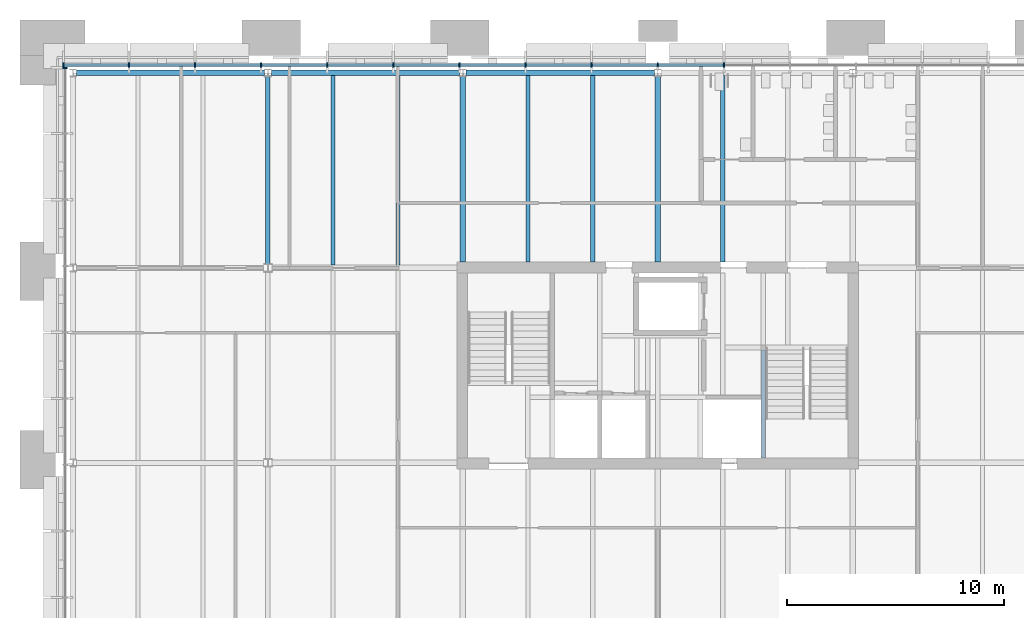
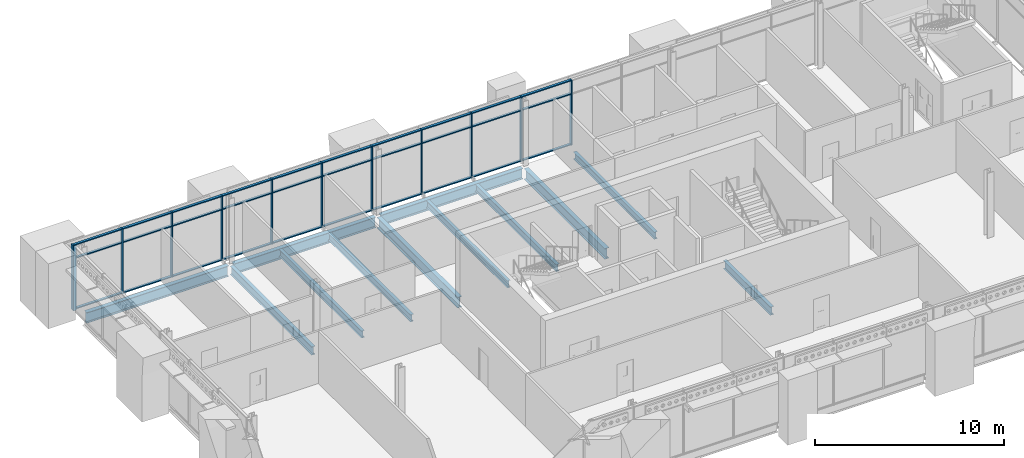
# One storey, part 14 of 37: 42 members, 12 beams, 2 elements without a shape of their own.
"""IFC4 building model written with IfcOpenShell, lengths in metres."""

from ifc_helpers import new_model, si_unit, direction, frame, origin, origin_2d, place, context, subcontext, project, spatial, rectangle, i_section, extrude, material, material_profile, profile_set, type_object, element, aggregate, save


model = new_model("IFC4")

# Units and contexts
model_context = context("Model", 3, precision=1e-05, world=origin(), true_north=direction((0.0, 1.0)))
body_context = subcontext(model_context, "Body", "Model", "MODEL_VIEW")
ifc_project = project(units=[si_unit("LENGTHUNIT", "METRE"), si_unit("AREAUNIT", "SQUARE_METRE"), si_unit("VOLUMEUNIT", "CUBIC_METRE"), si_unit("PLANEANGLEUNIT", "RADIAN"), si_unit("MASSUNIT", "GRAM", prefix="KILO")], contexts=[model_context])

# Site, building, storey
site_placement = place(None, origin())
site = spatial("IfcSite", under=ifc_project, at=site_placement, CompositionType="ELEMENT")
building_placement = place(site_placement, origin())
building = spatial("IfcBuilding", under=site, at=building_placement, Name="Baradari Gate Terminus", CompositionType="ELEMENT")
storey_placement = place(building_placement, frame((0.0, 0.0, 24.300048828125)))
storey = spatial("IfcBuildingStorey", under=building, at=storey_placement, Name="L05", CompositionType="ELEMENT", Elevation=24.300048828125)

# Beam
ifc_material_1 = material(Name="Steel S355", Category="steel")
ifc_material_profile_1 = material_profile(ifc_material_1, i_section(OverallWidth=0.209228515625, OverallDepth=0.533203125, WebThickness=0.010009765625, FlangeThickness=0.015625, FilletRadius=0.0126953125, at=origin_2d()), Name="UB 533x210x92")
ifc_profile_set_1 = profile_set([ifc_material_profile_1], Name="Steel S355")
beam_type_1 = type_object("IfcBeamType", Name="Core floor trimmer beam B22 UB 533x210x92", PredefinedType="BEAM", material=ifc_profile_set_1)
beam_1_placement = place(storey_placement, frame((40.875, 126.22509765625, -0.396484375), z_axis=(0.0, 1.0, 0.0), x_axis=(-1.0, 0.0, 0.0)))
element("IfcBeam", 1, at=beam_1_placement, inside=storey, type_object=beam_type_1, Name="Core floor trimmer beam B22 40.875:126.225-131.22 L05", PredefinedType="BEAM", context=body_context, shape_type="SweptSolid", body=[
    extrude(i_section(OverallWidth=0.209228515625, OverallDepth=0.533203125, WebThickness=0.010009765625, FlangeThickness=0.015625, FilletRadius=0.0126953125, at=origin_2d()), origin(), (0.0, 0.0, 1.0), 4.9951171875),
])

# Curtain wall, members
ifc_material_2 = material(Name="Aluminium 6063-T6", Category="aluminium")
curtain_wall_type = type_object("IfcCurtainWallType", Name="Curtain wall CW-1 block unitised, zone L02-L05", PredefinedType="NOTDEFINED", material=ifc_material_2)
curtain_wall_1_placement = place(storey_placement, origin())
curtain_wall_1 = element("IfcCurtainWall", 2, at=curtain_wall_1_placement, inside=storey, type_object=curtain_wall_type, Name="Curtain wall CW-1 Operations block N face L05", PredefinedType="NOTDEFINED")
ifc_material_3 = material(Name="Aluminium 6063-T6", Category="aluminium")
ifc_material_profile_2 = material_profile(ifc_material_3, rectangle(XDim=0.199951171875, YDim=0.06494140625, at=origin_2d()), Name="CM-1 65X200")
ifc_profile_set_2 = profile_set([ifc_material_profile_2], Name="Aluminium 6063-T6")
member_type_1 = type_object("IfcMemberType", Name="Curtain wall mullion CM-1 65x200", PredefinedType="MULLION", material=ifc_profile_set_2)
member_1_placement = place(storey_placement, frame((8.5625, 144.3701171875, 0.0), z_axis=(0.0, 0.0, 1.0), x_axis=(0.0, 1.0, 0.0)))
member_1 = element("IfcMember", 3, at=member_1_placement, type_object=member_type_1, Name="CW-1 mullion 1", PredefinedType="MULLION", context=body_context, shape_type="SweptSolid", body=[
    extrude(rectangle(XDim=0.199951171875, YDim=0.06494140625, at=origin_2d()), origin(), (0.0, 0.0, 1.0), 4.199951171875),
])
member_2_placement = place(storey_placement, frame((11.582275390625, 144.3701171875, 0.0), z_axis=(0.0, 0.0, 1.0), x_axis=(0.0, 1.0, 0.0)))
member_2 = element("IfcMember", 4, at=member_2_placement, type_object=member_type_1, Name="CW-1 mullion 2", PredefinedType="MULLION", context=body_context, shape_type="SweptSolid", body=[
    extrude(rectangle(XDim=0.199951171875, YDim=0.06494140625, at=origin_2d()), origin(), (0.0, 0.0, 1.0), 4.199951171875),
])
member_3_placement = place(storey_placement, frame((14.634521484375, 144.3701171875, 0.0), z_axis=(0.0, 0.0, 1.0), x_axis=(0.0, 1.0, 0.0)))
member_3 = element("IfcMember", 5, at=member_3_placement, type_object=member_type_1, Name="CW-1 mullion 3", PredefinedType="MULLION", context=body_context, shape_type="SweptSolid", body=[
    extrude(rectangle(XDim=0.199951171875, YDim=0.06494140625, at=origin_2d()), origin(), (0.0, 0.0, 1.0), 4.199951171875),
])
member_4_placement = place(storey_placement, frame((17.686767578125, 144.3701171875, 0.0), z_axis=(0.0, 0.0, 1.0), x_axis=(0.0, 1.0, 0.0)))
member_4 = element("IfcMember", 6, at=member_4_placement, type_object=member_type_1, Name="CW-1 mullion 4", PredefinedType="MULLION", context=body_context, shape_type="SweptSolid", body=[
    extrude(rectangle(XDim=0.199951171875, YDim=0.06494140625, at=origin_2d()), origin(), (0.0, 0.0, 1.0), 4.199951171875),
])
member_5_placement = place(storey_placement, frame((20.73876953125, 144.3701171875, 0.0), z_axis=(0.0, 0.0, 1.0), x_axis=(0.0, 1.0, 0.0)))
member_5 = element("IfcMember", 7, at=member_5_placement, type_object=member_type_1, Name="CW-1 mullion 5", PredefinedType="MULLION", context=body_context, shape_type="SweptSolid", body=[
    extrude(rectangle(XDim=0.199951171875, YDim=0.06494140625, at=origin_2d()), origin(), (0.0, 0.0, 1.0), 4.199951171875),
])
member_6_placement = place(storey_placement, frame((23.791015625, 144.3701171875, 0.0), z_axis=(0.0, 0.0, 1.0), x_axis=(0.0, 1.0, 0.0)))
member_6 = element("IfcMember", 8, at=member_6_placement, type_object=member_type_1, Name="CW-1 mullion 6", PredefinedType="MULLION", context=body_context, shape_type="SweptSolid", body=[
    extrude(rectangle(XDim=0.199951171875, YDim=0.06494140625, at=origin_2d()), origin(), (0.0, 0.0, 1.0), 4.199951171875),
])
member_7_placement = place(storey_placement, frame((26.84326171875, 144.3701171875, 0.0), z_axis=(0.0, 0.0, 1.0), x_axis=(0.0, 1.0, 0.0)))
member_7 = element("IfcMember", 9, at=member_7_placement, type_object=member_type_1, Name="CW-1 mullion 7", PredefinedType="MULLION", context=body_context, shape_type="SweptSolid", body=[
    extrude(rectangle(XDim=0.199951171875, YDim=0.06494140625, at=origin_2d()), origin(), (0.0, 0.0, 1.0), 4.199951171875),
])
member_8_placement = place(storey_placement, frame((29.8955078125, 144.3701171875, 0.0), z_axis=(0.0, 0.0, 1.0), x_axis=(0.0, 1.0, 0.0)))
member_8 = element("IfcMember", 10, at=member_8_placement, type_object=member_type_1, Name="CW-1 mullion 8", PredefinedType="MULLION", context=body_context, shape_type="SweptSolid", body=[
    extrude(rectangle(XDim=0.199951171875, YDim=0.06494140625, at=origin_2d()), origin(), (0.0, 0.0, 1.0), 4.199951171875),
])
member_9_placement = place(storey_placement, frame((32.94775390625, 144.3701171875, 0.0), z_axis=(0.0, 0.0, 1.0), x_axis=(0.0, 1.0, 0.0)))
member_9 = element("IfcMember", 11, at=member_9_placement, type_object=member_type_1, Name="CW-1 mullion 9", PredefinedType="MULLION", context=body_context, shape_type="SweptSolid", body=[
    extrude(rectangle(XDim=0.199951171875, YDim=0.06494140625, at=origin_2d()), origin(), (0.0, 0.0, 1.0), 4.199951171875),
])
member_10_placement = place(storey_placement, frame((36.0, 144.3701171875, 0.0), z_axis=(0.0, 0.0, 1.0), x_axis=(0.0, 1.0, 0.0)))
member_10 = element("IfcMember", 12, at=member_10_placement, type_object=member_type_1, Name="CW-1 mullion 10", PredefinedType="MULLION", context=body_context, shape_type="SweptSolid", body=[
    extrude(rectangle(XDim=0.199951171875, YDim=0.06494140625, at=origin_2d()), origin(), (0.0, 0.0, 1.0), 4.199951171875),
])
member_11_placement = place(storey_placement, frame((39.05224609375, 144.3701171875, 0.0), z_axis=(0.0, 0.0, 1.0), x_axis=(0.0, 1.0, 0.0)))
member_11 = element("IfcMember", 13, at=member_11_placement, type_object=member_type_1, Name="CW-1 mullion 11", PredefinedType="MULLION", context=body_context, shape_type="SweptSolid", body=[
    extrude(rectangle(XDim=0.199951171875, YDim=0.06494140625, at=origin_2d()), origin(), (0.0, 0.0, 1.0), 4.199951171875),
])

# Curtain wall, member
curtain_wall_2_placement = place(storey_placement, origin())
curtain_wall_2 = element("IfcCurtainWall", 14, at=curtain_wall_2_placement, inside=storey, type_object=curtain_wall_type, Name="Curtain wall CW-1 Operations block W face L05", PredefinedType="NOTDEFINED")
member_12_placement = place(storey_placement, frame((8.6298828125, 144.237548828125, 0.0), z_axis=(0.0, 0.0, 1.0), x_axis=(-1.0, 0.0, 0.0)))
member_12 = element("IfcMember", 15, at=member_12_placement, type_object=member_type_1, Name="CW-1 mullion 10", PredefinedType="MULLION", context=body_context, shape_type="SweptSolid", body=[
    extrude(rectangle(XDim=0.199951171875, YDim=0.06494140625, at=origin_2d()), origin(), (0.0, 0.0, 1.0), 4.199951171875),
])
aggregate(curtain_wall_2, [member_12])

# Member
ifc_material_4 = material(Name="Aluminium 6063-T6", Category="aluminium")
ifc_material_profile_3 = material_profile(ifc_material_4, rectangle(XDim=0.14990234375, YDim=0.06494140625, at=origin_2d()), Name="CT-1 65X150")
ifc_profile_set_3 = profile_set([ifc_material_profile_3], Name="Aluminium 6063-T6")
member_type_2 = type_object("IfcMemberType", Name="Curtain wall transom CT-1 65x150", PredefinedType="USERDEFINED", material=ifc_profile_set_3)
member_13_placement = place(storey_placement, frame((8.594970703125, 144.3701171875, 0.032470703125), z_axis=(1.0, 0.0, 0.0), x_axis=(0.0, 1.0, 0.0)))
member_13 = element("IfcMember", 16, at=member_13_placement, type_object=member_type_2, Name="CW-1 transom 1.1", ObjectType="TRANSOM", PredefinedType="USERDEFINED", context=body_context, shape_type="SweptSolid", body=[
    extrude(rectangle(XDim=0.14990234375, YDim=0.06494140625, at=origin_2d()), origin(), (0.0, 0.0, 1.0), 2.954833984375),
])

member_14_placement = place(storey_placement, frame((8.594970703125, 144.3701171875, 3.300048828125), z_axis=(1.0, 0.0, 0.0), x_axis=(0.0, 1.0, 0.0)))
member_14 = element("IfcMember", 17, at=member_14_placement, type_object=member_type_2, Name="CW-1 transom 1.2", ObjectType="TRANSOM", PredefinedType="USERDEFINED", context=body_context, shape_type="SweptSolid", body=[
    extrude(rectangle(XDim=0.14990234375, YDim=0.06494140625, at=origin_2d()), origin(), (0.0, 0.0, 1.0), 2.954833984375),
])

member_15_placement = place(storey_placement, frame((8.594970703125, 144.3701171875, 4.16748046875), z_axis=(1.0, 0.0, 0.0), x_axis=(0.0, 1.0, 0.0)))
member_15 = element("IfcMember", 18, at=member_15_placement, type_object=member_type_2, Name="CW-1 transom 1.3", ObjectType="TRANSOM", PredefinedType="USERDEFINED", context=body_context, shape_type="SweptSolid", body=[
    extrude(rectangle(XDim=0.14990234375, YDim=0.06494140625, at=origin_2d()), origin(), (0.0, 0.0, 1.0), 2.954833984375),
])

member_16_placement = place(storey_placement, frame((11.61474609375, 144.3701171875, 0.032470703125), z_axis=(1.0, 0.0, 0.0), x_axis=(0.0, 1.0, 0.0)))
member_16 = element("IfcMember", 19, at=member_16_placement, type_object=member_type_2, Name="CW-1 transom 2.1", ObjectType="TRANSOM", PredefinedType="USERDEFINED", context=body_context, shape_type="SweptSolid", body=[
    extrude(rectangle(XDim=0.14990234375, YDim=0.06494140625, at=origin_2d()), origin(), (0.0, 0.0, 1.0), 2.9873046875),
])

member_17_placement = place(storey_placement, frame((11.61474609375, 144.3701171875, 3.300048828125), z_axis=(1.0, 0.0, 0.0), x_axis=(0.0, 1.0, 0.0)))
member_17 = element("IfcMember", 20, at=member_17_placement, type_object=member_type_2, Name="CW-1 transom 2.2", ObjectType="TRANSOM", PredefinedType="USERDEFINED", context=body_context, shape_type="SweptSolid", body=[
    extrude(rectangle(XDim=0.14990234375, YDim=0.06494140625, at=origin_2d()), origin(), (0.0, 0.0, 1.0), 2.9873046875),
])

member_18_placement = place(storey_placement, frame((11.61474609375, 144.3701171875, 4.16748046875), z_axis=(1.0, 0.0, 0.0), x_axis=(0.0, 1.0, 0.0)))
member_18 = element("IfcMember", 21, at=member_18_placement, type_object=member_type_2, Name="CW-1 transom 2.3", ObjectType="TRANSOM", PredefinedType="USERDEFINED", context=body_context, shape_type="SweptSolid", body=[
    extrude(rectangle(XDim=0.14990234375, YDim=0.06494140625, at=origin_2d()), origin(), (0.0, 0.0, 1.0), 2.9873046875),
])

member_19_placement = place(storey_placement, frame((14.6669921875, 144.3701171875, 0.032470703125), z_axis=(1.0, 0.0, 0.0), x_axis=(0.0, 1.0, 0.0)))
member_19 = element("IfcMember", 22, at=member_19_placement, type_object=member_type_2, Name="CW-1 transom 3.1", ObjectType="TRANSOM", PredefinedType="USERDEFINED", context=body_context, shape_type="SweptSolid", body=[
    extrude(rectangle(XDim=0.14990234375, YDim=0.06494140625, at=origin_2d()), origin(), (0.0, 0.0, 1.0), 2.987060546875),
])

member_20_placement = place(storey_placement, frame((14.6669921875, 144.3701171875, 3.300048828125), z_axis=(1.0, 0.0, 0.0), x_axis=(0.0, 1.0, 0.0)))
member_20 = element("IfcMember", 23, at=member_20_placement, type_object=member_type_2, Name="CW-1 transom 3.2", ObjectType="TRANSOM", PredefinedType="USERDEFINED", context=body_context, shape_type="SweptSolid", body=[
    extrude(rectangle(XDim=0.14990234375, YDim=0.06494140625, at=origin_2d()), origin(), (0.0, 0.0, 1.0), 2.987060546875),
])

member_21_placement = place(storey_placement, frame((14.6669921875, 144.3701171875, 4.16748046875), z_axis=(1.0, 0.0, 0.0), x_axis=(0.0, 1.0, 0.0)))
member_21 = element("IfcMember", 24, at=member_21_placement, type_object=member_type_2, Name="CW-1 transom 3.3", ObjectType="TRANSOM", PredefinedType="USERDEFINED", context=body_context, shape_type="SweptSolid", body=[
    extrude(rectangle(XDim=0.14990234375, YDim=0.06494140625, at=origin_2d()), origin(), (0.0, 0.0, 1.0), 2.987060546875),
])

member_22_placement = place(storey_placement, frame((17.71923828125, 144.3701171875, 0.032470703125), z_axis=(1.0, 0.0, 0.0), x_axis=(0.0, 1.0, 0.0)))
member_22 = element("IfcMember", 25, at=member_22_placement, type_object=member_type_2, Name="CW-1 transom 4.1", ObjectType="TRANSOM", PredefinedType="USERDEFINED", context=body_context, shape_type="SweptSolid", body=[
    extrude(rectangle(XDim=0.14990234375, YDim=0.06494140625, at=origin_2d()), origin(), (0.0, 0.0, 1.0), 2.987060546875),
])

member_23_placement = place(storey_placement, frame((17.71923828125, 144.3701171875, 3.300048828125), z_axis=(1.0, 0.0, 0.0), x_axis=(0.0, 1.0, 0.0)))
member_23 = element("IfcMember", 26, at=member_23_placement, type_object=member_type_2, Name="CW-1 transom 4.2", ObjectType="TRANSOM", PredefinedType="USERDEFINED", context=body_context, shape_type="SweptSolid", body=[
    extrude(rectangle(XDim=0.14990234375, YDim=0.06494140625, at=origin_2d()), origin(), (0.0, 0.0, 1.0), 2.987060546875),
])

member_24_placement = place(storey_placement, frame((17.71923828125, 144.3701171875, 4.16748046875), z_axis=(1.0, 0.0, 0.0), x_axis=(0.0, 1.0, 0.0)))
member_24 = element("IfcMember", 27, at=member_24_placement, type_object=member_type_2, Name="CW-1 transom 4.3", ObjectType="TRANSOM", PredefinedType="USERDEFINED", context=body_context, shape_type="SweptSolid", body=[
    extrude(rectangle(XDim=0.14990234375, YDim=0.06494140625, at=origin_2d()), origin(), (0.0, 0.0, 1.0), 2.987060546875),
])

member_25_placement = place(storey_placement, frame((20.771484375, 144.3701171875, 0.032470703125), z_axis=(1.0, 0.0, 0.0), x_axis=(0.0, 1.0, 0.0)))
member_25 = element("IfcMember", 28, at=member_25_placement, type_object=member_type_2, Name="CW-1 transom 5.1", ObjectType="TRANSOM", PredefinedType="USERDEFINED", context=body_context, shape_type="SweptSolid", body=[
    extrude(rectangle(XDim=0.14990234375, YDim=0.06494140625, at=origin_2d()), origin(), (0.0, 0.0, 1.0), 2.987060546875),
])

member_26_placement = place(storey_placement, frame((20.771484375, 144.3701171875, 3.300048828125), z_axis=(1.0, 0.0, 0.0), x_axis=(0.0, 1.0, 0.0)))
member_26 = element("IfcMember", 29, at=member_26_placement, type_object=member_type_2, Name="CW-1 transom 5.2", ObjectType="TRANSOM", PredefinedType="USERDEFINED", context=body_context, shape_type="SweptSolid", body=[
    extrude(rectangle(XDim=0.14990234375, YDim=0.06494140625, at=origin_2d()), origin(), (0.0, 0.0, 1.0), 2.987060546875),
])

member_27_placement = place(storey_placement, frame((20.771484375, 144.3701171875, 4.16748046875), z_axis=(1.0, 0.0, 0.0), x_axis=(0.0, 1.0, 0.0)))
member_27 = element("IfcMember", 30, at=member_27_placement, type_object=member_type_2, Name="CW-1 transom 5.3", ObjectType="TRANSOM", PredefinedType="USERDEFINED", context=body_context, shape_type="SweptSolid", body=[
    extrude(rectangle(XDim=0.14990234375, YDim=0.06494140625, at=origin_2d()), origin(), (0.0, 0.0, 1.0), 2.987060546875),
])

member_28_placement = place(storey_placement, frame((23.82373046875, 144.3701171875, 0.032470703125), z_axis=(1.0, 0.0, 0.0), x_axis=(0.0, 1.0, 0.0)))
member_28 = element("IfcMember", 31, at=member_28_placement, type_object=member_type_2, Name="CW-1 transom 6.1", ObjectType="TRANSOM", PredefinedType="USERDEFINED", context=body_context, shape_type="SweptSolid", body=[
    extrude(rectangle(XDim=0.14990234375, YDim=0.06494140625, at=origin_2d()), origin(), (0.0, 0.0, 1.0), 2.987060546875),
])

member_29_placement = place(storey_placement, frame((23.82373046875, 144.3701171875, 3.300048828125), z_axis=(1.0, 0.0, 0.0), x_axis=(0.0, 1.0, 0.0)))
member_29 = element("IfcMember", 32, at=member_29_placement, type_object=member_type_2, Name="CW-1 transom 6.2", ObjectType="TRANSOM", PredefinedType="USERDEFINED", context=body_context, shape_type="SweptSolid", body=[
    extrude(rectangle(XDim=0.14990234375, YDim=0.06494140625, at=origin_2d()), origin(), (0.0, 0.0, 1.0), 2.987060546875),
])

member_30_placement = place(storey_placement, frame((23.82373046875, 144.3701171875, 4.16748046875), z_axis=(1.0, 0.0, 0.0), x_axis=(0.0, 1.0, 0.0)))
member_30 = element("IfcMember", 33, at=member_30_placement, type_object=member_type_2, Name="CW-1 transom 6.3", ObjectType="TRANSOM", PredefinedType="USERDEFINED", context=body_context, shape_type="SweptSolid", body=[
    extrude(rectangle(XDim=0.14990234375, YDim=0.06494140625, at=origin_2d()), origin(), (0.0, 0.0, 1.0), 2.987060546875),
])

member_31_placement = place(storey_placement, frame((26.875732421875, 144.3701171875, 0.032470703125), z_axis=(1.0, 0.0, 0.0), x_axis=(0.0, 1.0, 0.0)))
member_31 = element("IfcMember", 34, at=member_31_placement, type_object=member_type_2, Name="CW-1 transom 7.1", ObjectType="TRANSOM", PredefinedType="USERDEFINED", context=body_context, shape_type="SweptSolid", body=[
    extrude(rectangle(XDim=0.14990234375, YDim=0.06494140625, at=origin_2d()), origin(), (0.0, 0.0, 1.0), 2.9873046875),
])

member_32_placement = place(storey_placement, frame((26.875732421875, 144.3701171875, 3.300048828125), z_axis=(1.0, 0.0, 0.0), x_axis=(0.0, 1.0, 0.0)))
member_32 = element("IfcMember", 35, at=member_32_placement, type_object=member_type_2, Name="CW-1 transom 7.2", ObjectType="TRANSOM", PredefinedType="USERDEFINED", context=body_context, shape_type="SweptSolid", body=[
    extrude(rectangle(XDim=0.14990234375, YDim=0.06494140625, at=origin_2d()), origin(), (0.0, 0.0, 1.0), 2.9873046875),
])

member_33_placement = place(storey_placement, frame((26.875732421875, 144.3701171875, 4.16748046875), z_axis=(1.0, 0.0, 0.0), x_axis=(0.0, 1.0, 0.0)))
member_33 = element("IfcMember", 36, at=member_33_placement, type_object=member_type_2, Name="CW-1 transom 7.3", ObjectType="TRANSOM", PredefinedType="USERDEFINED", context=body_context, shape_type="SweptSolid", body=[
    extrude(rectangle(XDim=0.14990234375, YDim=0.06494140625, at=origin_2d()), origin(), (0.0, 0.0, 1.0), 2.9873046875),
])

member_34_placement = place(storey_placement, frame((29.927978515625, 144.3701171875, 0.032470703125), z_axis=(1.0, 0.0, 0.0), x_axis=(0.0, 1.0, 0.0)))
member_34 = element("IfcMember", 37, at=member_34_placement, type_object=member_type_2, Name="CW-1 transom 8.1", ObjectType="TRANSOM", PredefinedType="USERDEFINED", context=body_context, shape_type="SweptSolid", body=[
    extrude(rectangle(XDim=0.14990234375, YDim=0.06494140625, at=origin_2d()), origin(), (0.0, 0.0, 1.0), 2.9873046875),
])

member_35_placement = place(storey_placement, frame((29.927978515625, 144.3701171875, 3.300048828125), z_axis=(1.0, 0.0, 0.0), x_axis=(0.0, 1.0, 0.0)))
member_35 = element("IfcMember", 38, at=member_35_placement, type_object=member_type_2, Name="CW-1 transom 8.2", ObjectType="TRANSOM", PredefinedType="USERDEFINED", context=body_context, shape_type="SweptSolid", body=[
    extrude(rectangle(XDim=0.14990234375, YDim=0.06494140625, at=origin_2d()), origin(), (0.0, 0.0, 1.0), 2.9873046875),
])

member_36_placement = place(storey_placement, frame((29.927978515625, 144.3701171875, 4.16748046875), z_axis=(1.0, 0.0, 0.0), x_axis=(0.0, 1.0, 0.0)))
member_36 = element("IfcMember", 39, at=member_36_placement, type_object=member_type_2, Name="CW-1 transom 8.3", ObjectType="TRANSOM", PredefinedType="USERDEFINED", context=body_context, shape_type="SweptSolid", body=[
    extrude(rectangle(XDim=0.14990234375, YDim=0.06494140625, at=origin_2d()), origin(), (0.0, 0.0, 1.0), 2.9873046875),
])

member_37_placement = place(storey_placement, frame((32.980224609375, 144.3701171875, 0.032470703125), z_axis=(1.0, 0.0, 0.0), x_axis=(0.0, 1.0, 0.0)))
member_37 = element("IfcMember", 40, at=member_37_placement, type_object=member_type_2, Name="CW-1 transom 9.1", ObjectType="TRANSOM", PredefinedType="USERDEFINED", context=body_context, shape_type="SweptSolid", body=[
    extrude(rectangle(XDim=0.14990234375, YDim=0.06494140625, at=origin_2d()), origin(), (0.0, 0.0, 1.0), 2.9873046875),
])

member_38_placement = place(storey_placement, frame((32.980224609375, 144.3701171875, 3.300048828125), z_axis=(1.0, 0.0, 0.0), x_axis=(0.0, 1.0, 0.0)))
member_38 = element("IfcMember", 41, at=member_38_placement, type_object=member_type_2, Name="CW-1 transom 9.2", ObjectType="TRANSOM", PredefinedType="USERDEFINED", context=body_context, shape_type="SweptSolid", body=[
    extrude(rectangle(XDim=0.14990234375, YDim=0.06494140625, at=origin_2d()), origin(), (0.0, 0.0, 1.0), 2.9873046875),
])

member_39_placement = place(storey_placement, frame((32.980224609375, 144.3701171875, 4.16748046875), z_axis=(1.0, 0.0, 0.0), x_axis=(0.0, 1.0, 0.0)))
member_39 = element("IfcMember", 42, at=member_39_placement, type_object=member_type_2, Name="CW-1 transom 9.3", ObjectType="TRANSOM", PredefinedType="USERDEFINED", context=body_context, shape_type="SweptSolid", body=[
    extrude(rectangle(XDim=0.14990234375, YDim=0.06494140625, at=origin_2d()), origin(), (0.0, 0.0, 1.0), 2.9873046875),
])

member_40_placement = place(storey_placement, frame((36.032470703125, 144.3701171875, 0.032470703125), z_axis=(1.0, 0.0, 0.0), x_axis=(0.0, 1.0, 0.0)))
member_40 = element("IfcMember", 43, at=member_40_placement, type_object=member_type_2, Name="CW-1 transom 10.1", ObjectType="TRANSOM", PredefinedType="USERDEFINED", context=body_context, shape_type="SweptSolid", body=[
    extrude(rectangle(XDim=0.14990234375, YDim=0.06494140625, at=origin_2d()), origin(), (0.0, 0.0, 1.0), 2.9873046875),
])

member_41_placement = place(storey_placement, frame((36.032470703125, 144.3701171875, 3.300048828125), z_axis=(1.0, 0.0, 0.0), x_axis=(0.0, 1.0, 0.0)))
member_41 = element("IfcMember", 44, at=member_41_placement, type_object=member_type_2, Name="CW-1 transom 10.2", ObjectType="TRANSOM", PredefinedType="USERDEFINED", context=body_context, shape_type="SweptSolid", body=[
    extrude(rectangle(XDim=0.14990234375, YDim=0.06494140625, at=origin_2d()), origin(), (0.0, 0.0, 1.0), 2.9873046875),
])

member_42_placement = place(storey_placement, frame((36.032470703125, 144.3701171875, 4.16748046875), z_axis=(1.0, 0.0, 0.0), x_axis=(0.0, 1.0, 0.0)))
member_42 = element("IfcMember", 45, at=member_42_placement, type_object=member_type_2, Name="CW-1 transom 10.3", ObjectType="TRANSOM", PredefinedType="USERDEFINED", context=body_context, shape_type="SweptSolid", body=[
    extrude(rectangle(XDim=0.14990234375, YDim=0.06494140625, at=origin_2d()), origin(), (0.0, 0.0, 1.0), 2.9873046875),
])

aggregate(curtain_wall_1, [member_1, member_2, member_3, member_4, member_5, member_6, member_7, member_8, member_9, member_10, member_11, member_13, member_14, member_15, member_16, member_17, member_18, member_19, member_20, member_21, member_22, member_23, member_24, member_25, member_26, member_27, member_28, member_29, member_30, member_31, member_32, member_33, member_34, member_35, member_36, member_37, member_38, member_39, member_40, member_41, member_42])

# Beams
ifc_material_5 = material(Name="Steel S355", Category="steel")
ifc_material_profile_4 = material_profile(ifc_material_5, i_section(OverallWidth=0.25439453125, OverallDepth=0.6875, WebThickness=0.01318359375, FlangeThickness=0.02099609375, FilletRadius=0.01513671875, at=origin_2d()), Name="UB 686x254x152")
ifc_profile_set_4 = profile_set([ifc_material_profile_4], Name="Steel S355")
beam_type_2 = type_object("IfcBeamType", Name="Operations block coupling beam B26 UB 686x254x152", PredefinedType="BEAM", material=ifc_profile_set_4)
for number, where, z_axis, x_axis, name in (
    (46, (27.0, 135.27490234375, -0.473876953125), (0.0, 1.0, 0.0), (-1.0, 0.0, 0.0), "Operations block coupling beam B26 4:135.275-143.83 L05"),
    (47, (36.0, 135.27490234375, -0.473876953125), (0.0, 1.0, 0.0), (-1.0, 0.0, 0.0), "Operations block coupling beam B26 5:135.275-143.83 L05"),
):
    element("IfcBeam", number, at=place(storey_placement, frame(where, z_axis=z_axis, x_axis=x_axis)), inside=storey, type_object=beam_type_2, Name=name, PredefinedType="BEAM", context=body_context, shape_type="SweptSolid", body=[
        extrude(i_section(OverallWidth=0.25439453125, OverallDepth=0.6875, WebThickness=0.01318359375, FlangeThickness=0.02099609375, FilletRadius=0.01513671875, at=origin_2d()), origin(), (0.0, 0.0, 1.0), 8.55517578125),
    ])
ifc_material_6 = material(Name="Steel S355", Category="steel")
ifc_material_profile_5 = material_profile(ifc_material_6, i_section(OverallWidth=0.210693359375, OverallDepth=0.53955078125, WebThickness=0.01171875, FlangeThickness=0.018798828125, FilletRadius=0.0126953125, at=origin_2d()), Name="UB 533x210x109")
ifc_profile_set_5 = profile_set([ifc_material_profile_5], Name="Steel S355")
beam_type_3 = type_object("IfcBeamType", Name="Operations block girder B29 UB 533x210x109", PredefinedType="BEAM", material=ifc_profile_set_5)
beam_2_placement = place(storey_placement, frame((18.0, 135.1904296875, -0.39990234375), z_axis=(0.0, 1.0, 0.0), x_axis=(-1.0, 0.0, 0.0)))
element("IfcBeam", 48, at=beam_2_placement, inside=storey, type_object=beam_type_3, Name="Operations block girder B29 3:135.19-143.83 L05", PredefinedType="BEAM", context=body_context, shape_type="SweptSolid", body=[
    extrude(i_section(OverallWidth=0.210693359375, OverallDepth=0.53955078125, WebThickness=0.01171875, FlangeThickness=0.018798828125, FilletRadius=0.0126953125, at=origin_2d()), origin(), (0.0, 0.0, 1.0), 8.6396484375),
])
ifc_material_7 = material(Name="Steel S355", Category="steel")
ifc_material_profile_6 = material_profile(ifc_material_7, i_section(OverallWidth=0.25439453125, OverallDepth=0.6875, WebThickness=0.01318359375, FlangeThickness=0.02099609375, FilletRadius=0.01513671875, at=origin_2d()), Name="UB 686x254x152")
ifc_profile_set_6 = profile_set([ifc_material_profile_6], Name="Steel S355")
beam_type_4 = type_object("IfcBeamType", Name="Operations block moment frame beam B32 UB 686x254x152", PredefinedType="BEAM", material=ifc_profile_set_6)
for number, where, z_axis, x_axis, name in (
    (49, (9.1572265625, 144.0, -0.473876953125), (1.0, 0.0, 0.0), (0.0, 1.0, 0.0), "Operations block moment frame beam B32 S:9.157-17.843 L05"),
    (50, (18.1572265625, 144.0, -0.473876953125), (1.0, 0.0, 0.0), (0.0, 1.0, 0.0), "Operations block moment frame beam B32 S:18.157-26.843 L05"),
    (51, (27.1572265625, 144.0, -0.473876953125), (1.0, 0.0, 0.0), (0.0, 1.0, 0.0), "Operations block moment frame beam B32 S:27.157-35.843 L05"),
):
    element("IfcBeam", number, at=place(storey_placement, frame(where, z_axis=z_axis, x_axis=x_axis)), inside=storey, type_object=beam_type_4, Name=name, PredefinedType="BEAM", context=body_context, shape_type="SweptSolid", body=[
        extrude(i_section(OverallWidth=0.25439453125, OverallDepth=0.6875, WebThickness=0.01318359375, FlangeThickness=0.02099609375, FilletRadius=0.01513671875, at=origin_2d()), origin(), (0.0, 0.0, 1.0), 8.685546875),
    ])
ifc_material_8 = material(Name="Steel S355", Category="steel")
ifc_material_profile_7 = material_profile(ifc_material_8, i_section(OverallWidth=0.18994140625, OverallDepth=0.453369140625, WebThickness=0.008544921875, FlangeThickness=0.0126953125, FilletRadius=0.01025390625, at=origin_2d()), Name="UB 457x191x67")
ifc_profile_set_7 = profile_set([ifc_material_profile_7], Name="Steel S355")
beam_type_5 = type_object("IfcBeamType", Name="Operations block secondary beam B28 UB 457x191x67", PredefinedType="BEAM", material=ifc_profile_set_7)
for number, where, z_axis, x_axis, name in (
    (52, (21.0, 135.127197265625, -0.356689453125), (0.0, 1.0, 0.0), (-1.0, 0.0, 0.0), "Operations block secondary beam B28 21:135.127-143.873 L05"),
    (53, (24.0, 135.127197265625, -0.356689453125), (0.0, 1.0, 0.0), (-1.0, 0.0, 0.0), "Operations block secondary beam B28 24:135.127-143.873 L05"),
):
    element("IfcBeam", number, at=place(storey_placement, frame(where, z_axis=z_axis, x_axis=x_axis)), inside=storey, type_object=beam_type_5, Name=name, PredefinedType="BEAM", context=body_context, shape_type="SweptSolid", body=[
        extrude(i_section(OverallWidth=0.18994140625, OverallDepth=0.453369140625, WebThickness=0.008544921875, FlangeThickness=0.0126953125, FilletRadius=0.01025390625, at=origin_2d()), origin(), (0.0, 0.0, 1.0), 8.74560546875),
    ])
for number, where, z_axis, x_axis, name in (
    (54, (30.0, 135.27490234375, -0.356689453125), (0.0, 1.0, 0.0), (-1.0, 0.0, 0.0), "Operations block secondary beam B28 30:135.275-143.873 L05"),
    (55, (33.0, 135.27490234375, -0.356689453125), (0.0, 1.0, 0.0), (-1.0, 0.0, 0.0), "Operations block secondary beam B28 33:135.275-143.873 L05"),
    (56, (39.0, 135.27490234375, -0.356689453125), (0.0, 1.0, 0.0), (-1.0, 0.0, 0.0), "Operations block secondary beam B28 39:135.275-143.873 L05"),
):
    element("IfcBeam", number, at=place(storey_placement, frame(where, z_axis=z_axis, x_axis=x_axis)), inside=storey, type_object=beam_type_5, Name=name, PredefinedType="BEAM", context=body_context, shape_type="SweptSolid", body=[
        extrude(i_section(OverallWidth=0.18994140625, OverallDepth=0.453369140625, WebThickness=0.008544921875, FlangeThickness=0.0126953125, FilletRadius=0.01025390625, at=origin_2d()), origin(), (0.0, 0.0, 1.0), 8.597900390625),
    ])

save(model, "model.ifc")
